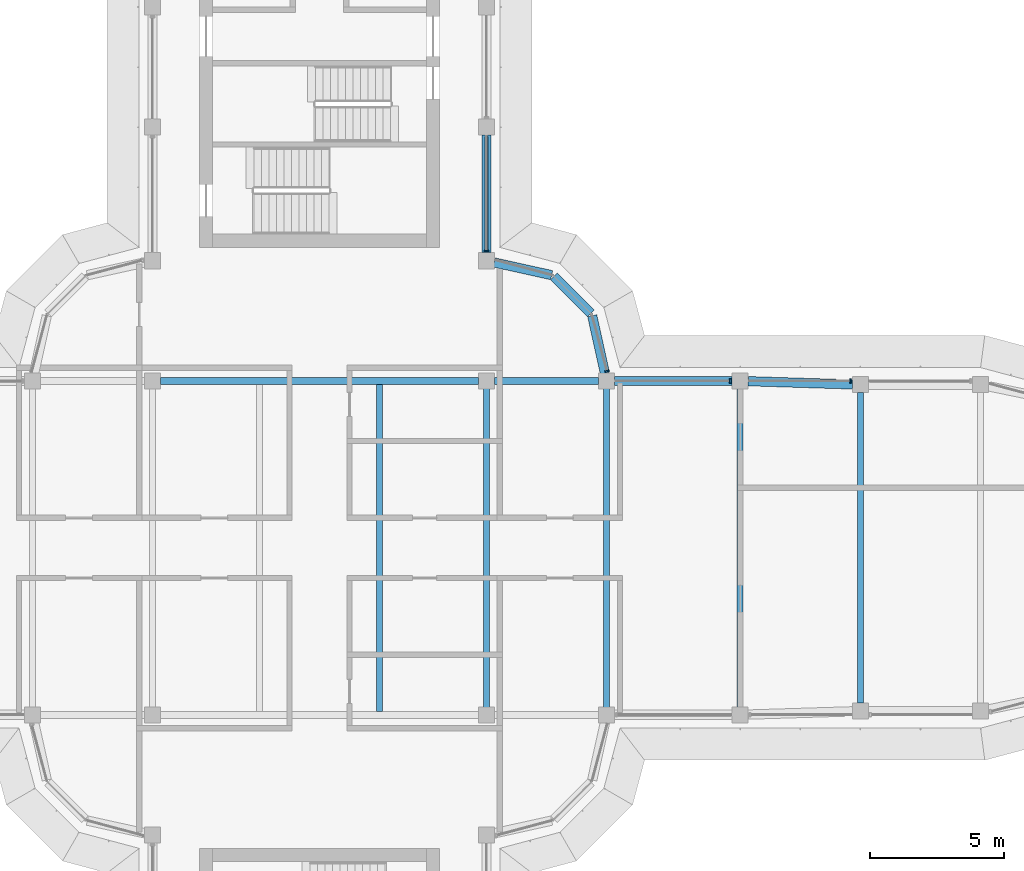
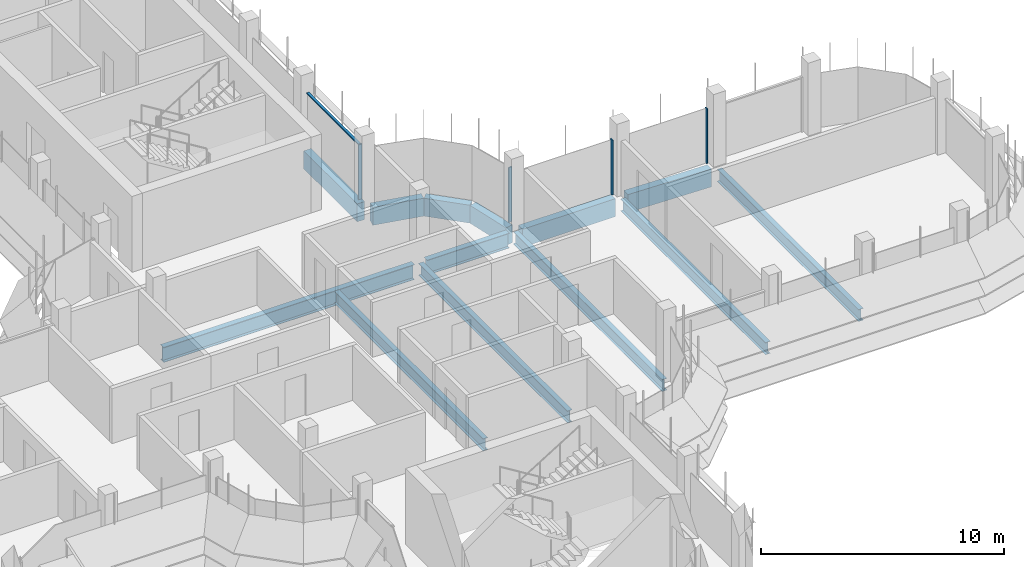
# One storey, part 8 of 19: 13 beams, 5 members, 3 elements without a shape of their own.
"""IFC4 building model written with IfcOpenShell, lengths in metres."""

from ifc_helpers import new_model, si_unit, direction, frame, origin, origin_2d, place, context, subcontext, project, spatial, polyline, rectangle, i_section, outline, extrude, source, transform, mapped, material, material_profile, profile_set, type_object, element, aggregate, save


model = new_model("IFC4")

# Units and contexts
model_context = context("Model", 3, precision=1e-05, world=origin(), true_north=direction((0.0, 1.0)))
body_context = subcontext(model_context, "Body", "Model", "MODEL_VIEW")
ifc_project = project(units=[si_unit("LENGTHUNIT", "METRE"), si_unit("AREAUNIT", "SQUARE_METRE"), si_unit("VOLUMEUNIT", "CUBIC_METRE"), si_unit("PLANEANGLEUNIT", "RADIAN"), si_unit("MASSUNIT", "GRAM", prefix="KILO")], contexts=[model_context])

# Site, building, storey
site_placement = place(None, origin())
site = spatial("IfcSite", under=ifc_project, at=site_placement, CompositionType="ELEMENT")
building_placement = place(site_placement, origin())
building = spatial("IfcBuilding", under=site, at=building_placement, Name="Zarbagh Exchange Tower", CompositionType="ELEMENT")
storey_placement = place(building_placement, frame((0.0, 0.0, 265.0)))
storey = spatial("IfcBuildingStorey", under=building, at=storey_placement, Name="L65", CompositionType="ELEMENT", Elevation=265.0)

# Beams
ifc_material_1 = material(Name="Steel ASTM A992 Gr 50", Category="steel")
ifc_material_profile_1 = material_profile(ifc_material_1, i_section(OverallWidth=0.228271484375, OverallDepth=0.607177734375, WebThickness=0.01123046875, FlangeThickness=0.017333984375, at=origin_2d()), Name="W24X76")
ifc_profile_set_1 = profile_set([ifc_material_profile_1], Name="Steel ASTM A992 Gr 50")
beam_type_1 = type_object("IfcBeamType", Name="Floor beam W24X76", PredefinedType="BEAM", material=ifc_profile_set_1)
for number, where, z_axis, x_axis, name in (
    (1, (2.25, -6.11669921875, -0.45361328125), (0.0, 1.0, 0.0), (-1.0, 0.0, 0.0), "Steel floor beam"),
    (2, (6.25, -6.11669921875, -0.45361328125), (0.0, 1.0, 0.0), (-1.0, 0.0, 0.0), "Steel floor beam"),
    (3, (10.75, -6.11669921875, -0.45361328125), (0.0, 1.0, 0.0), (-1.0, 0.0, 0.0), "Steel floor beam"),
):
    element("IfcBeam", number, at=place(storey_placement, frame(where, z_axis=z_axis, x_axis=x_axis)), inside=storey, type_object=beam_type_1, Name=name, PredefinedType="BEAM", context=body_context, shape_type="SweptSolid", body=[
        extrude(i_section(OverallWidth=0.228271484375, OverallDepth=0.607177734375, WebThickness=0.01123046875, FlangeThickness=0.017333984375, at=origin_2d()), origin(), (0.0, 0.0, 1.0), 12.2333984375),
    ])
beam_1_placement = place(storey_placement, frame((15.75, -5.949951171875, -0.45361328125), z_axis=(0.0, 1.0, 0.0), x_axis=(-1.0, 0.0, 0.0)))
element("IfcBeam", 4, at=beam_1_placement, inside=storey, type_object=beam_type_1, Name="Steel floor beam", PredefinedType="BEAM", context=body_context, shape_type="SweptSolid", body=[
    extrude(i_section(OverallWidth=0.228271484375, OverallDepth=0.607177734375, WebThickness=0.01123046875, FlangeThickness=0.017333984375, at=origin_2d()), origin(), (0.0, 0.0, 1.0), 11.89990234375),
])
beam_2_placement = place(storey_placement, frame((20.25, -5.81005859375, -0.45361328125), z_axis=(0.0, 1.0, 0.0), x_axis=(-1.0, 0.0, 0.0)))
element("IfcBeam", 5, at=beam_2_placement, inside=storey, type_object=beam_type_1, Name="Steel floor beam", PredefinedType="BEAM", context=body_context, shape_type="SweptSolid", body=[
    extrude(i_section(OverallWidth=0.228271484375, OverallDepth=0.607177734375, WebThickness=0.01123046875, FlangeThickness=0.017333984375, at=origin_2d()), origin(), (0.0, 0.0, 1.0), 11.6201171875),
])
ifc_material_profile_2 = material_profile(ifc_material_1, i_section(OverallWidth=0.2666015625, OverallDepth=0.7568359375, WebThickness=0.013916015625, FlangeThickness=0.019287109375, at=origin_2d()), Name="W30X108")
ifc_profile_set_2 = profile_set([ifc_material_profile_2], Name="Steel ASTM A992 Gr 50")
beam_type_2 = type_object("IfcBeamType", Name="Floor girder W30X108", PredefinedType="BEAM", material=ifc_profile_set_2)
beam_3_placement = place(storey_placement, frame((-5.949951171875, 6.25, -0.5283203125), z_axis=(1.0, 0.0, 0.0), x_axis=(0.0, 1.0, 0.0)))
element("IfcBeam", 6, at=beam_3_placement, inside=storey, type_object=beam_type_2, Name="Steel girder", PredefinedType="BEAM", context=body_context, shape_type="SweptSolid", body=[
    extrude(i_section(OverallWidth=0.2666015625, OverallDepth=0.7568359375, WebThickness=0.013916015625, FlangeThickness=0.019287109375, at=origin_2d()), origin(), (0.0, 0.0, 1.0), 11.89990234375),
])
beam_4_placement = place(storey_placement, frame((6.550048828125, 6.25, -0.5283203125), z_axis=(1.0, 0.0, 0.0), x_axis=(0.0, 1.0, 0.0)))
element("IfcBeam", 7, at=beam_4_placement, inside=storey, type_object=beam_type_2, Name="Steel girder", PredefinedType="BEAM", context=body_context, shape_type="SweptSolid", body=[
    extrude(i_section(OverallWidth=0.2666015625, OverallDepth=0.7568359375, WebThickness=0.013916015625, FlangeThickness=0.019287109375, at=origin_2d()), origin(), (0.0, 0.0, 1.0), 3.89990234375),
])
ifc_material_2 = material(Name="Concrete C40/50", Category="concrete")
ifc_material_profile_3 = material_profile(ifc_material_2, rectangle(XDim=0.35009765625, YDim=0.89990234375, at=origin_2d()), Name="RC spandrel beam 350 x 900 C40/50")
ifc_profile_set_3 = profile_set([ifc_material_profile_3], Name="Concrete C40/50")
beam_type_3 = type_object("IfcBeamType", Name="RC spandrel beam 350 x 900 C40/50", PredefinedType="SPANDREL", material=ifc_profile_set_3)
beam_5_placement = place(storey_placement, frame((6.25, 15.449951171875, -0.60009765625), z_axis=(0.0, -1.0, 0.0), x_axis=(1.0, 0.0, 0.0)))
element("IfcBeam", 8, at=beam_5_placement, inside=storey, type_object=beam_type_3, Name="RC spandrel beam", PredefinedType="SPANDREL", context=body_context, shape_type="SweptSolid", body=[
    extrude(rectangle(XDim=0.35009765625, YDim=0.89990234375, at=origin_2d()), origin(), (0.0, 0.0, 1.0), 4.39990234375),
])
beam_6_placement = place(storey_placement, frame((6.54296875, 10.685302734375, -0.60009765625), z_axis=(0.976387662047, -0.216025770228, 0.0), x_axis=(0.216025770228, 0.976387662047, 0.0)))
element("IfcBeam", 9, at=beam_6_placement, inside=storey, type_object=beam_type_3, Name="RC spandrel beam", PredefinedType="SPANDREL", context=body_context, shape_type="SweptSolid", body=[
    extrude(rectangle(XDim=0.35009765625, YDim=0.89990234375, at=origin_2d()), origin(), (0.0, 0.0, 1.0), 2.200439453125),
])
beam_7_placement = place(storey_placement, frame((8.77734375, 10.16259765625, -0.60009765625), z_axis=(0.707106781187, -0.707106781187, 0.0), x_axis=(0.707106781187, 0.707106781187, 0.0)))
element("IfcBeam", 10, at=beam_7_placement, inside=storey, type_object=beam_type_3, Name="RC spandrel beam", PredefinedType="SPANDREL", context=body_context, shape_type="SweptSolid", body=[
    extrude(rectangle(XDim=0.35009765625, YDim=0.89990234375, at=origin_2d()), origin(), (0.0, 0.0, 1.0), 1.958984375),
])
beam_8_placement = place(storey_placement, frame((10.2099609375, 8.69140625, -0.60009765625), z_axis=(0.216025770228, -0.976387662047, 0.0), x_axis=(0.976387662047, 0.216025770228, 0.0)))
element("IfcBeam", 11, at=beam_8_placement, inside=storey, type_object=beam_type_3, Name="RC spandrel beam", PredefinedType="SPANDREL", context=body_context, shape_type="SweptSolid", body=[
    extrude(rectangle(XDim=0.35009765625, YDim=0.89990234375, at=origin_2d()), origin(), (0.0, 0.0, 1.0), 2.200439453125),
])
beam_9_placement = place(storey_placement, frame((11.050048828125, 6.25, -0.60009765625), z_axis=(1.0, 0.0, 0.0), x_axis=(0.0, 1.0, 0.0)))
element("IfcBeam", 12, at=beam_9_placement, inside=storey, type_object=beam_type_3, Name="RC spandrel beam", PredefinedType="SPANDREL", context=body_context, shape_type="SweptSolid", body=[
    extrude(rectangle(XDim=0.35009765625, YDim=0.89990234375, at=origin_2d()), origin(), (0.0, 0.0, 1.0), 4.39990234375),
])
beam_10_placement = place(storey_placement, frame((16.0498046875, 6.24072265625, -0.60009765625), z_axis=(0.999516460907, -0.031094121249, 0.0), x_axis=(0.031094121249, 0.999516460907, 0.0)))
element("IfcBeam", 13, at=beam_10_placement, inside=storey, type_object=beam_type_3, Name="RC spandrel beam", PredefinedType="SPANDREL", context=body_context, shape_type="SweptSolid", body=[
    extrude(rectangle(XDim=0.35009765625, YDim=0.89990234375, at=origin_2d()), origin(), (0.0, 0.0, 1.0), 3.90234375),
])

# Curtain wall, members
ifc_material_3 = material(Name="Anodised aluminium frame and glazing", Category="aluminium")
curtain_wall_type = type_object("IfcCurtainWallType", Name="CWB Ribbon glazing, upper zones", PredefinedType="NOTDEFINED", material=ifc_material_3)
curtain_wall_1_placement = place(storey_placement, origin())
curtain_wall_1 = element("IfcCurtainWall", 14, at=curtain_wall_1_placement, inside=storey, type_object=curtain_wall_type, Name="CWB82 curtain wall", PredefinedType="NOTDEFINED")
ifc_material_4 = material(Name="Anodised aluminium frame", Category="aluminium")
member_type_1 = type_object("IfcMemberType", Name="MUB Mullion, anodised aluminium frame", PredefinedType="MULLION", material=ifc_material_4)
shared_shape_1 = source(origin(), body_context, "Body", "SweptSolid", [
    extrude(outline(polyline([(0.0, -0.080078125), (0.06005859375, -0.080078125), (0.06005859375, 0.080078125), (0.0, 0.080078125), (0.0, -0.080078125)])), origin(), (0.0, 0.0, 1.0), 2.75),
])
placement = place(storey_placement, origin())
member_1 = element("IfcMember", 15, at=placement, type_object=member_type_1, Name="CWB82 mullion 2.1", PredefinedType="MULLION", context=body_context, shape_type="MappedRepresentation", body=[
    mapped(shared_shape_1, transform((19.909912109375, 6.25, 0.0), x_axis=(-1.0, 0.0, 0.0), y_axis=(0.0, -1.0, 0.0), z_axis=(0.0, 0.0, 1.0))),
])
member_2 = element("IfcMember", 16, at=placement, type_object=member_type_1, Name="CWB82 mullion 3.1", PredefinedType="MULLION", context=body_context, shape_type="MappedRepresentation", body=[
    mapped(shared_shape_1, transform((15.409912109375, 6.25, 0.0), x_axis=(-1.0, 0.0, 0.0), y_axis=(0.0, -1.0, 0.0), z_axis=(0.0, 0.0, 1.0))),
])
aggregate(curtain_wall_1, [member_1, member_2])

# Curtain wall, member
curtain_wall_2_placement = place(storey_placement, origin())
curtain_wall_2 = element("IfcCurtainWall", 17, at=curtain_wall_2_placement, inside=storey, type_object=curtain_wall_type, Name="CWB17 curtain wall", PredefinedType="NOTDEFINED")
member_3 = element("IfcMember", 18, at=placement, type_object=member_type_1, Name="CWB17 mullion 1.1", PredefinedType="MULLION", context=body_context, shape_type="MappedRepresentation", body=[
    mapped(shared_shape_1, transform((10.775146484375, 6.590087890625, 0.0), x_axis=(-0.258824779902, 0.965924289636, 0.0), y_axis=(-0.965924289636, -0.258824779902, 0.0), z_axis=(0.0, 0.0, 1.0))),
])
aggregate(curtain_wall_2, [member_3])

# Curtain wall, members
curtain_wall_3_placement = place(storey_placement, origin())
curtain_wall_3 = element("IfcCurtainWall", 19, at=curtain_wall_3_placement, inside=storey, type_object=curtain_wall_type, Name="CWB67 curtain wall", PredefinedType="NOTDEFINED")
member_4 = element("IfcMember", 20, at=placement, type_object=member_type_1, Name="CWB67 mullion 1.1", PredefinedType="MULLION", context=body_context, shape_type="MappedRepresentation", body=[
    mapped(shared_shape_1, transform((6.25, 11.090087890625, 0.0), x_axis=(0.0, 1.0, 0.0), y_axis=(-1.0, 0.0, 0.0), z_axis=(0.0, 0.0, 1.0))),
])
member_type_2 = type_object("IfcMemberType", Name="TRB Transom, anodised aluminium frame", PredefinedType="USERDEFINED", material=ifc_material_4)
shared_shape_2 = source(origin(), body_context, "Body", "SweptSolid", [
    extrude(outline(polyline([(-0.06005859375, -0.06005859375), (0.0, -0.06005859375), (0.0, 0.06005859375), (-0.06005859375, 0.06005859375), (-0.06005859375, -0.06005859375)])), origin(), (0.0, 0.0, 1.0), 4.260009765625),
])
member_5 = element("IfcMember", 21, at=placement, type_object=member_type_2, Name="CWB67 transom 1.1", ObjectType="TRANSOM", PredefinedType="USERDEFINED", context=body_context, shape_type="MappedRepresentation", body=[
    mapped(shared_shape_2, transform((6.25, 11.150146484375, 2.75), x_axis=(0.0, 0.0, 1.0), y_axis=(1.0, 0.0, 0.0), z_axis=(0.0, 1.0, 0.0))),
])
aggregate(curtain_wall_3, [member_4, member_5])

save(model, "model.ifc")
